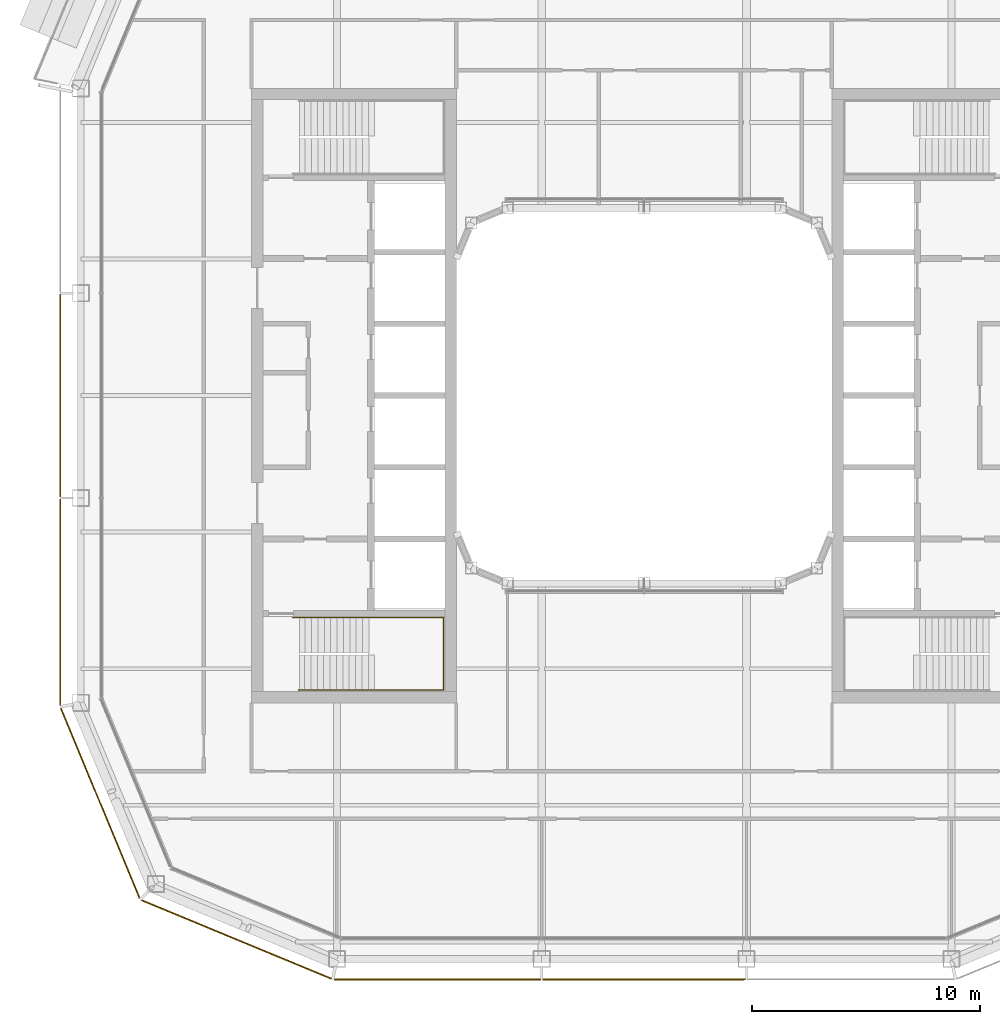
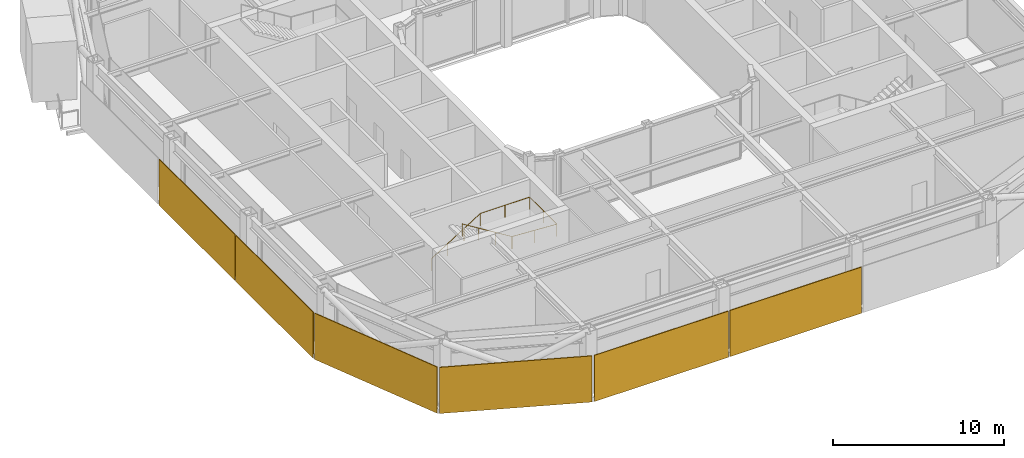
# One storey, part 17 of 21: 6 coverings, 1 railing.
"""IFC4 building model written with IfcOpenShell, lengths in metres."""

from ifc_helpers import new_model, si_unit, direction, frame, origin, origin_2d, place, context, subcontext, project, spatial, rectangle, circle, extrude, material, layer, layer_set, type_object, element, save


model = new_model("IFC4")

# Units and contexts
model_context = context("Model", 3, precision=1e-05, world=origin(), true_north=direction((0.0, 1.0)))
body_context = subcontext(model_context, "Body", "Model", "MODEL_VIEW")
ifc_project = project(units=[si_unit("LENGTHUNIT", "METRE"), si_unit("AREAUNIT", "SQUARE_METRE"), si_unit("VOLUMEUNIT", "CUBIC_METRE"), si_unit("PLANEANGLEUNIT", "RADIAN"), si_unit("MASSUNIT", "GRAM", prefix="KILO")], contexts=[model_context])

# Site, building, storey
site_placement = place(None, origin())
site = spatial("IfcSite", under=ifc_project, at=site_placement, CompositionType="ELEMENT")
building_placement = place(site_placement, origin())
building = spatial("IfcBuilding", under=site, at=building_placement, Name="Siwar Civic Tower", CompositionType="ELEMENT")
storey_placement = place(building_placement, frame((0.0, 0.0, 294.199951171875)))
storey = spatial("IfcBuildingStorey", under=building, at=storey_placement, Name="L63", CompositionType="ELEMENT", Elevation=294.199951171875)

# Railing
ifc_material_1 = material(Name="Stainless steel", Category="steel")
railing_type = type_object("IfcRailingType", Name="CORE-STAIR-HANDRAIL", PredefinedType="HANDRAIL", material=ifc_material_1)
railing_placement = place(storey_placement, frame((-15.449951171875, -9.758056640625, 0.173095703125)))
element("IfcRailing", 1, at=railing_placement, inside=storey, type_object=railing_type, Name="Stair handrail ST2", PredefinedType="HANDRAIL", context=body_context, shape_type="SweptSolid", body=[
    extrude(circle(Radius=0.02001953125, at=origin_2d()), frame((0.0, 0.0, 0.8798828125), z_axis=(0.847063342986, 0.0, 0.531491950051), x_axis=(0.0, 1.0, 0.0)), (0.0, 0.0, 1.0), 3.90771484375),
    extrude(circle(Radius=0.02001953125, at=origin_2d()), frame((3.31005859375, 0.0, 2.956787109375), z_axis=(1.0, 0.0, 0.0), x_axis=(0.0, 1.0, 0.0)), (0.0, 0.0, 1.0), 3.331787109375),
    extrude(circle(Radius=0.02001953125, at=origin_2d()), frame((6.641845703125, 0.0, 2.956787109375), z_axis=(0.0, -1.0, 0.0), x_axis=(1.0, 0.0, 0.0)), (0.0, 0.0, 1.0), 3.183837890625),
    extrude(circle(Radius=0.02001953125, at=origin_2d()), frame((6.641845703125, -3.183837890625, 2.956787109375), z_axis=(-0.99837434197, 0.0, 0.056997134106), x_axis=(0.0, -1.0, 0.0)), (0.0, 0.0, 1.0), 3.036865234375),
    extrude(circle(Radius=0.02001953125, at=origin_2d()), frame((3.60986328125, -3.183837890625, 3.1298828125), z_axis=(-0.850606129759, 0.0, 0.525803396734), x_axis=(0.0, -1.0, 0.0)), (0.0, 0.0, 1.0), 3.949951171875),
    extrude(circle(Radius=0.02001953125, at=origin_2d()), origin(), (0.0, 0.0, 1.0), 0.85986328125),
    extrude(circle(Radius=0.02001953125, at=origin_2d()), frame((1.103271484375, 0.0, 0.6923828125)), (0.0, 0.0, 1.0), 0.85986328125),
    extrude(circle(Radius=0.02001953125, at=origin_2d()), frame((2.206787109375, 0.0, 1.384521484375)), (0.0, 0.0, 1.0), 0.85986328125),
    extrude(circle(Radius=0.02001953125, at=origin_2d()), frame((3.31005859375, 0.0, 2.076904296875)), (0.0, 0.0, 1.0), 0.85986328125),
    extrude(circle(Radius=0.02001953125, at=origin_2d()), frame((4.97607421875, 0.0, 2.076904296875)), (0.0, 0.0, 1.0), 0.85986328125),
    extrude(circle(Radius=0.02001953125, at=origin_2d()), frame((6.641845703125, 0.0, 2.076904296875)), (0.0, 0.0, 1.0), 0.85986328125),
    extrude(circle(Radius=0.02001953125, at=origin_2d()), frame((6.641845703125, -1.591796875, 2.076904296875)), (0.0, 0.0, 1.0), 0.85986328125),
    extrude(circle(Radius=0.02001953125, at=origin_2d()), frame((6.641845703125, -3.183837890625, 2.076904296875)), (0.0, 0.0, 1.0), 0.85986328125),
    extrude(circle(Radius=0.02001953125, at=origin_2d()), frame((5.1259765625, -3.183837890625, 2.16357421875)), (0.0, 0.0, 1.0), 0.85986328125),
    extrude(circle(Radius=0.02001953125, at=origin_2d()), frame((3.60986328125, -3.183837890625, 2.25)), (0.0, 0.0, 1.0), 0.85986328125),
    extrude(circle(Radius=0.02001953125, at=origin_2d()), frame((2.489990234375, -3.183837890625, 2.9423828125)), (0.0, 0.0, 1.0), 0.85986328125),
    extrude(circle(Radius=0.02001953125, at=origin_2d()), frame((1.369873046875, -3.183837890625, 3.634521484375)), (0.0, 0.0, 1.0), 0.85986328125),
    extrude(circle(Radius=0.02001953125, at=origin_2d()), frame((0.25, -3.183837890625, 4.326904296875)), (0.0, 0.0, 1.0), 0.85986328125),
])

# Coverings
ifc_material_2 = material(Name="Perforated aluminium cassette, pale metal", Category="aluminium")
ifc_layer_1 = layer(ifc_material_2, 0.050048828125)
ifc_layer_set_1 = layer_set([ifc_layer_1], Name="Perforated aluminium cassette, pale metal")
covering_type_1 = type_object("IfcCoveringType", Name="ENV-OUTER SKIN OS-3", PredefinedType="CLADDING", material=ifc_layer_set_1)
covering_1_placement = place(storey_placement, frame((-25.64990234375, 0.0, -0.14990234375), z_axis=(0.0, 0.0, 1.0), x_axis=(0.0, -1.0, 0.0)))
element("IfcCovering", 2, at=covering_1_placement, inside=storey, type_object=covering_type_1, Name="OUTER SKIN OS-3 W 2", PredefinedType="CLADDING", context=body_context, shape_type="SweptSolid", body=[
    extrude(rectangle(XDim=8.89990234375, YDim=0.050048828125, at=origin_2d()), origin(), (0.0, 0.0, 1.0), 3.300048828125),
])
covering_2_placement = place(storey_placement, frame((-25.64990234375, -9.07958984375, -0.14990234375), z_axis=(0.0, 0.0, 1.0), x_axis=(0.0, -1.0, 0.0)))
element("IfcCovering", 3, at=covering_2_placement, inside=storey, type_object=covering_type_1, Name="OUTER SKIN OS-3 W 3", PredefinedType="CLADDING", context=body_context, shape_type="SweptSolid", body=[
    extrude(rectangle(XDim=9.05908203125, YDim=0.050048828125, at=origin_2d()), origin(), (0.0, 0.0, 1.0), 3.300048828125),
])
ifc_material_3 = material(Name="Perforated aluminium cassette, pale metal", Category="aluminium")
ifc_layer_2 = layer(ifc_material_3, 0.054931640625)
ifc_layer_set_2 = layer_set([ifc_layer_2], Name="Perforated aluminium cassette, pale metal")
covering_type_2 = type_object("IfcCoveringType", Name="ENV-OUTER SKIN OS-4", PredefinedType="CLADDING", material=ifc_layer_set_2)
covering_3_placement = place(storey_placement, frame((-9.07958984375, -25.64990234375, -0.14990234375), z_axis=(0.0, 0.0, 1.0), x_axis=(1.0, 0.0, 0.0)))
element("IfcCovering", 4, at=covering_3_placement, inside=storey, type_object=covering_type_2, Name="OUTER SKIN OS-4 S 1", PredefinedType="CLADDING", context=body_context, shape_type="SweptSolid", body=[
    extrude(rectangle(XDim=9.05908203125, YDim=0.054931640625, at=origin_2d()), origin(), (0.0, 0.0, 1.0), 3.300048828125),
])
covering_4_placement = place(storey_placement, frame((0.0, -25.64990234375, -0.14990234375), z_axis=(0.0, 0.0, 1.0), x_axis=(1.0, 0.0, 0.0)))
element("IfcCovering", 5, at=covering_4_placement, inside=storey, type_object=covering_type_2, Name="OUTER SKIN OS-4 S 2", PredefinedType="CLADDING", context=body_context, shape_type="SweptSolid", body=[
    extrude(rectangle(XDim=8.89990234375, YDim=0.054931640625, at=origin_2d()), origin(), (0.0, 0.0, 1.0), 3.300048828125),
])
for number, where, z_axis, x_axis, name in (
    (6, (-23.89697265625, -17.911376953125, -0.14990234375), (0.0, 0.0, 1.0), (0.382683432365, -0.923879532511, 0.0), "OUTER SKIN OS-4 SW1 1"),
    (7, (-17.911376953125, -23.89697265625, -0.14990234375), (0.0, 0.0, 1.0), (0.923879532511, -0.382683432365, 0.0), "OUTER SKIN OS-4 SW2 1"),
):
    element("IfcCovering", number, at=place(storey_placement, frame(where, z_axis=z_axis, x_axis=x_axis)), inside=storey, type_object=covering_type_2, Name=name, PredefinedType="CLADDING", context=body_context, shape_type="SweptSolid", body=[
        extrude(rectangle(XDim=9.022216796875, YDim=0.054931640625, at=origin_2d()), origin(), (0.0, 0.0, 1.0), 3.300048828125),
    ])

save(model, "model.ifc")
